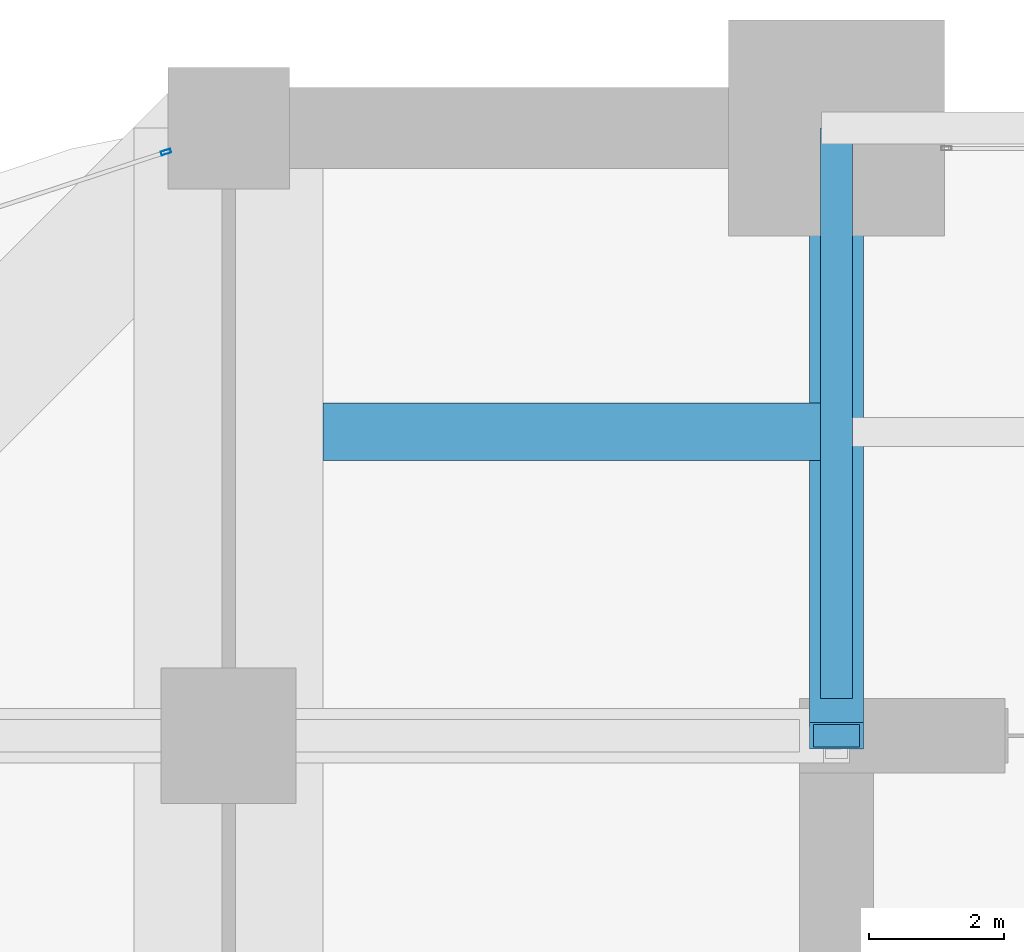
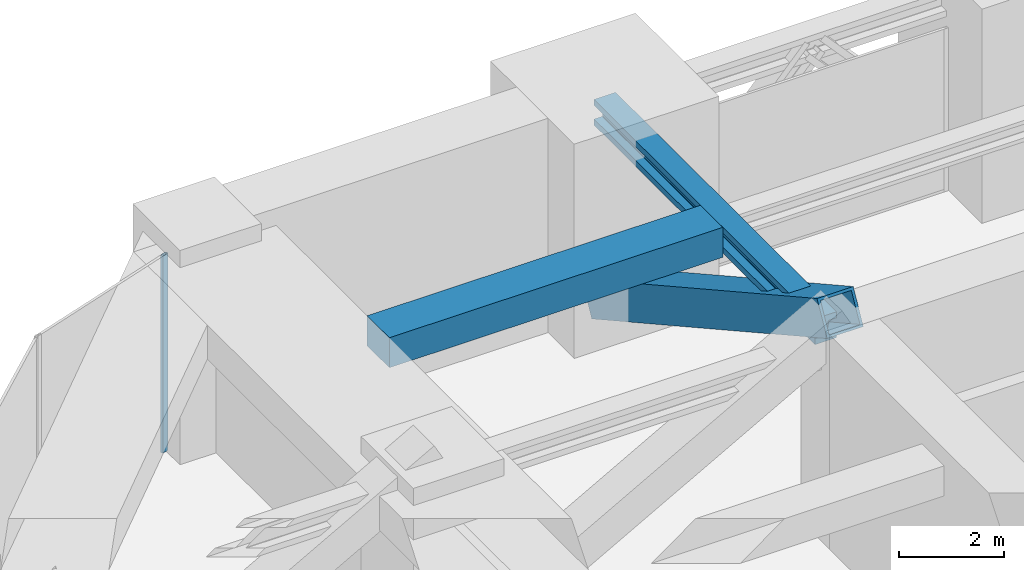
# One storey, part 25 of 38: 2 beams, 2 members, 1 element without a shape of its own.
"""IFC4 building model written with IfcOpenShell, lengths in metres."""

from ifc_helpers import new_model, si_unit, direction, frame, origin, origin_2d, place, context, subcontext, project, spatial, rectangle, hollow_rectangle, i_section, extrude, material, material_profile, profile_set, type_object, element, aggregate, save


model = new_model("IFC4")

# Units and contexts
model_context = context("Model", 3, precision=1e-05, world=origin(), true_north=direction((0.0, 1.0)))
body_context = subcontext(model_context, "Body", "Model", "MODEL_VIEW")
ifc_project = project(units=[si_unit("LENGTHUNIT", "METRE"), si_unit("AREAUNIT", "SQUARE_METRE"), si_unit("VOLUMEUNIT", "CUBIC_METRE"), si_unit("PLANEANGLEUNIT", "RADIAN"), si_unit("MASSUNIT", "GRAM", prefix="KILO")], contexts=[model_context])

# Site, building, storey
site_placement = place(None, origin())
site = spatial("IfcSite", under=ifc_project, at=site_placement, CompositionType="ELEMENT")
building_placement = place(site_placement, origin())
building = spatial("IfcBuilding", under=site, at=building_placement, Name="Zorevar Civic Tower", CompositionType="ELEMENT")
storey_placement = place(building_placement, frame((0.0, 0.0, 157.199951171875)))
storey = spatial("IfcBuildingStorey", under=building, at=storey_placement, Name="L38", CompositionType="ELEMENT", Elevation=157.199951171875)

# Beam
ifc_material_1 = material(Name="Concrete C50/60", Category="concrete")
ifc_material_profile_1 = material_profile(ifc_material_1, rectangle(XDim=0.85009765625, YDim=0.699951171875, at=origin_2d()), Name="RC 850x700")
ifc_profile_set_1 = profile_set([ifc_material_profile_1], Name="Concrete C50/60")
beam_type_1 = type_object("IfcBeamType", Name="Beam RC 850x700", PredefinedType="BEAM", material=ifc_profile_set_1)
beam_1_placement = place(storey_placement, frame((10.39990234375, 40.5, 4.25), z_axis=(1.0, 0.0, 0.0), x_axis=(0.0, 1.0, 0.0)))
element("IfcBeam", 1, at=beam_1_placement, inside=storey, type_object=beam_type_1, Name="Secondary beam L39", PredefinedType="BEAM", context=body_context, shape_type="SweptSolid", body=[
    extrude(rectangle(XDim=0.85009765625, YDim=0.699951171875, at=origin_2d()), origin(), (0.0, 0.0, 1.0), 7.362060546875),
])

# Curtain wall, member
ifc_material_2 = material(Name="Black aluminium louvres", Category="aluminium")
curtain_wall_type = type_object("IfcCurtainWallType", Name="Louvred curtain wall CW6 refuge", PredefinedType="NOTDEFINED", material=ifc_material_2)
curtain_wall_placement = place(storey_placement, origin())
curtain_wall = element("IfcCurtainWall", 2, at=curtain_wall_placement, inside=storey, type_object=curtain_wall_type, Name="CW6 L38", PredefinedType="NOTDEFINED")
ifc_material_3 = material(Name="Aluminium, black anodised", Category="aluminium")
ifc_material_profile_2 = material_profile(ifc_material_3, hollow_rectangle(XDim=0.06005859375, YDim=0.14990234375, WallThickness=0.00390625, at=origin_2d()), Name="AL 150x60x4")
ifc_profile_set_2 = profile_set([ifc_material_profile_2], Name="Aluminium, black anodised")
member_type_1 = type_object("IfcMemberType", Name="CW6 mullion AL 150x60x4", PredefinedType="MULLION", material=ifc_profile_set_2)
member_1_placement = place(storey_placement, frame((8.071533203125, 44.64404296875, 0.0), z_axis=(0.0, 0.0, 1.0), x_axis=(0.31203637361, -0.950070156117, 0.0)))
member_1 = element("IfcMember", 3, at=member_1_placement, type_object=member_type_1, Name="CW6 mullion 1", PredefinedType="MULLION", context=body_context, shape_type="SweptSolid", body=[
    extrude(hollow_rectangle(XDim=0.06005859375, YDim=0.14990234375, WallThickness=0.00390625, at=origin_2d()), origin(), (0.0, 0.0, 1.0), 4.60009765625),
])
aggregate(curtain_wall, [member_1])

# Beam
ifc_material_4 = material(Name="Steel S460M (HISTAR 460)", Category="steel")
ifc_material_profile_3 = material_profile(ifc_material_4, i_section(OverallWidth=0.47607421875, OverallDepth=0.60009765625, WebThickness=0.10009765625, FlangeThickness=0.139892578125, FilletRadius=0.014892578125, at=origin_2d()), Name="HD 400x1299")
ifc_profile_set_3 = profile_set([ifc_material_profile_3], Name="Steel S460M (HISTAR 460)")
beam_type_2 = type_object("IfcBeamType", Name="Outrigger chord HD 400x1299", PredefinedType="BEAM", material=ifc_profile_set_3)
beam_2_placement = place(storey_placement, frame((18.0, 36.550048828125, 4.300048828125), z_axis=(0.0, 1.0, 0.0), x_axis=(-1.0, 0.0, 0.0)))
element("IfcBeam", 4, at=beam_2_placement, inside=storey, type_object=beam_type_2, Name="Outrigger chord L39", PredefinedType="BEAM", context=body_context, shape_type="SweptSolid", body=[
    extrude(i_section(OverallWidth=0.47607421875, OverallDepth=0.60009765625, WebThickness=0.10009765625, FlangeThickness=0.139892578125, FilletRadius=0.014892578125, at=origin_2d()), origin(), (0.0, 0.0, 1.0), 8.449951171875),
])

# Member
ifc_material_5 = material(Name="Steel S460M (HISTAR 460)", Category="steel")
ifc_material_profile_4 = material_profile(ifc_material_5, hollow_rectangle(XDim=0.800048828125, YDim=0.800048828125, WallThickness=0.06005859375, at=origin_2d()), Name="BOX 800x800x60")
ifc_profile_set_4 = profile_set([ifc_material_profile_4], Name="Steel S460M (HISTAR 460)")
member_type_2 = type_object("IfcMemberType", Name="Outrigger diagonal BOX 800x800x60", PredefinedType="BRACE", material=ifc_profile_set_4)
member_2_placement = place(storey_placement, frame((18.0, 36.0, 5.0), z_axis=(0.0, 0.874157276122, -0.485642931179), x_axis=(-1.0, 0.0, 0.0)))
element("IfcMember", 5, at=member_2_placement, inside=storey, type_object=member_type_2, Name="Outrigger diagonal N L38", PredefinedType="BRACE", context=body_context, shape_type="SweptSolid", body=[
    extrude(hollow_rectangle(XDim=0.800048828125, YDim=0.800048828125, WallThickness=0.06005859375, at=origin_2d()), origin(), (0.0, 0.0, 1.0), 10.295654296875),
])

save(model, "model.ifc")
